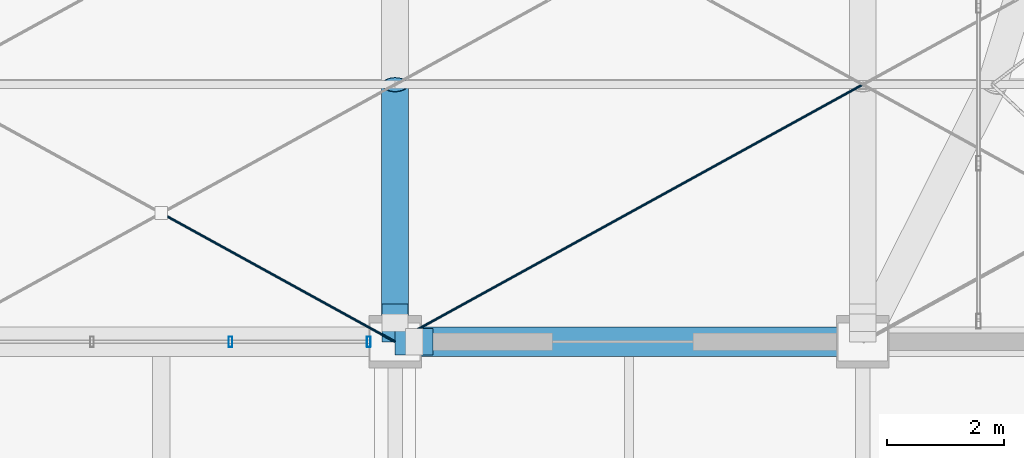
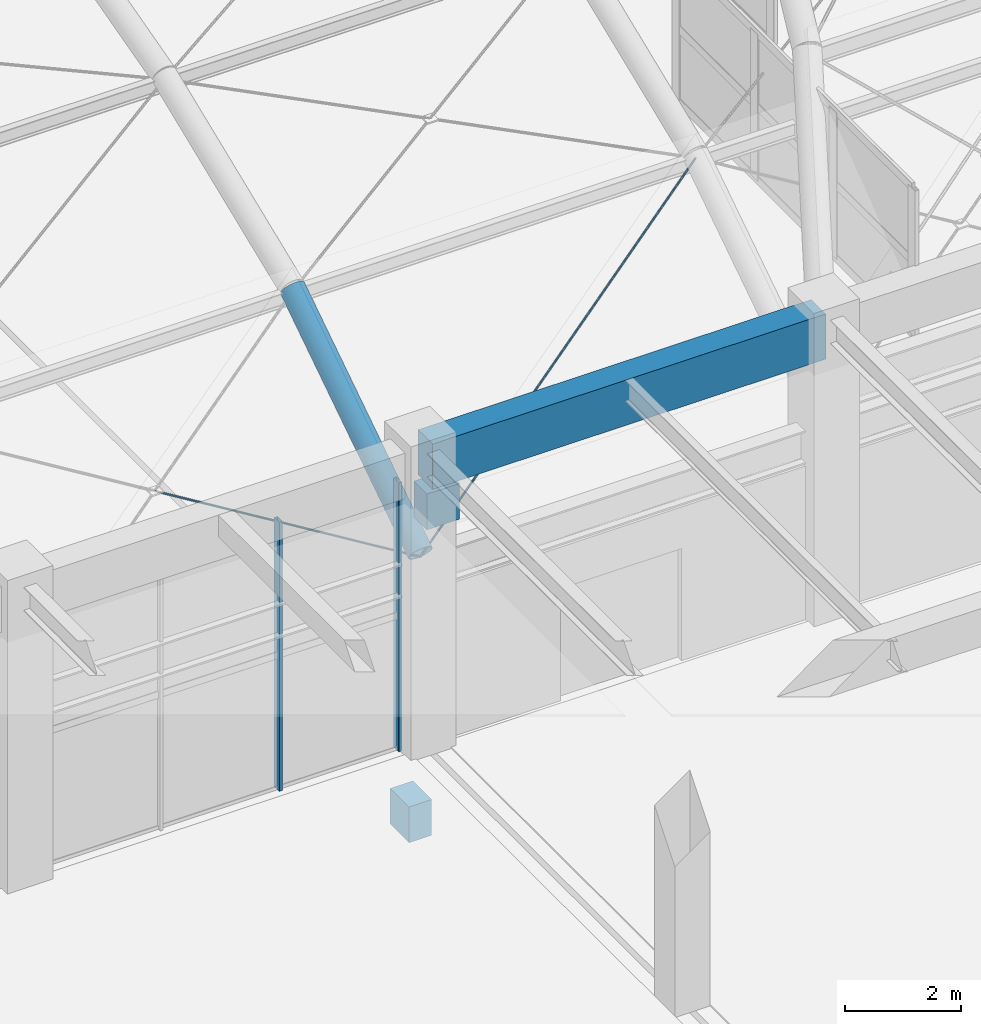
# One storey, part 22 of 163: 4 beams, 4 members, 1 element without a shape of its own.
"""IFC4 building model written with IfcOpenShell, lengths in metres."""

from ifc_helpers import new_model, si_unit, direction, frame, origin, origin_2d, place, context, subcontext, project, spatial, rectangle, hollow_rectangle, circle, hollow_circle, extrude, material, material_profile, profile_set, type_object, element, aggregate, save


model = new_model("IFC4")

# Units and contexts
model_context = context("Model", 3, precision=1e-05, world=origin(), true_north=direction((0.0, 1.0)))
body_context = subcontext(model_context, "Body", "Model", "MODEL_VIEW")
ifc_project = project(units=[si_unit("LENGTHUNIT", "METRE"), si_unit("AREAUNIT", "SQUARE_METRE"), si_unit("VOLUMEUNIT", "CUBIC_METRE"), si_unit("PLANEANGLEUNIT", "RADIAN"), si_unit("MASSUNIT", "GRAM", prefix="KILO")], contexts=[model_context])

# Site, building, storey
site_placement = place(None, origin())
site = spatial("IfcSite", under=ifc_project, at=site_placement, CompositionType="ELEMENT")
building_placement = place(site_placement, origin())
building = spatial("IfcBuilding", under=site, at=building_placement, Name="Varnabhumi Central Station", CompositionType="ELEMENT")
storey_placement = place(building_placement, frame((0.0, 0.0, 9.60009765625)))
storey = spatial("IfcBuildingStorey", under=building, at=storey_placement, Name="L02", CompositionType="ELEMENT", Elevation=9.60009765625)

# Beams
ifc_material_1 = material(Name="Structural steel E450", Category="steel")
ifc_material_profile_1 = material_profile(ifc_material_1, hollow_circle(Radius=0.228515625, WallThickness=0.01611328125, at=origin_2d()), Name="Structural steel E450", Category="steel")
ifc_profile_set_1 = profile_set([ifc_material_profile_1], Name="Structural steel E450")
beam_type_1 = type_object("IfcBeamType", Name="BM-ARCH-CHS457", PredefinedType="BEAM", material=ifc_profile_set_1)
beam_1_placement = place(storey_placement, frame((64.0, 36.0, 3.949951171875), z_axis=(0.0, 0.835386835677, 0.549662473503), x_axis=(-1.0, 0.0, 0.0)))
element("IfcBeam", 1, at=beam_1_placement, inside=storey, type_object=beam_type_1, Name="Ticket Hall Vault Arch Rib 4 Seg 1", PredefinedType="BEAM", context=body_context, shape_type="SweptSolid", body=[
    extrude(hollow_circle(Radius=0.228515625, WallThickness=0.01611328125, at=origin_2d()), origin(), (0.0, 0.0, 1.0), 5.266845703125),
])
ifc_material_2 = material(Name="Concrete M40", Category="concrete")
ifc_material_profile_2 = material_profile(ifc_material_2, rectangle(XDim=0.449951171875, YDim=0.75, at=origin_2d()), Name="Concrete M40", Category="concrete")
ifc_profile_set_2 = profile_set([ifc_material_profile_2], Name="Concrete M40")
beam_type_2 = type_object("IfcBeamType", Name="BM-RC-450x750", PredefinedType="BEAM", material=ifc_profile_set_2)
for number, where, z_axis, x_axis, name in (
    (2, (64.0, 36.0, 4.94482421875), (1.0, 0.0, 0.0), (0.0, 1.0, 0.0), "Movement Joint 650mm Corbel Seat L02-E-9"),
    (3, (64.0, 36.0, -1.675048828125), (0.0, 1.0, 0.0), (-1.0, 0.0, 0.0), "Concourse Bridge 650mm Corbel Seat 64-S"),
):
    element("IfcBeam", number, at=place(storey_placement, frame(where, z_axis=z_axis, x_axis=x_axis)), inside=storey, type_object=beam_type_2, Name=name, PredefinedType="BEAM", context=body_context, shape_type="SweptSolid", body=[
        extrude(rectangle(XDim=0.449951171875, YDim=0.75, at=origin_2d()), origin(), (0.0, 0.0, 1.0), 0.64990234375),
    ])
ifc_material_profile_3 = material_profile(ifc_material_2, rectangle(XDim=0.5, YDim=0.949951171875, at=origin_2d()), Name="Concrete M40", Category="concrete")
ifc_profile_set_3 = profile_set([ifc_material_profile_3], Name="Concrete M40")
beam_type_3 = type_object("IfcBeamType", Name="BM-RC-950x500", PredefinedType="BEAM", material=ifc_profile_set_3)
beam_2_placement = place(storey_placement, frame((64.10009765625, 36.0, 5.875), z_axis=(1.0, 0.0, 0.0), x_axis=(0.0, 1.0, 0.0)))
element("IfcBeam", 4, at=beam_2_placement, inside=storey, type_object=beam_type_3, Name="Beam L02-E:9-10", PredefinedType="BEAM", context=body_context, shape_type="SweptSolid", body=[
    extrude(rectangle(XDim=0.5, YDim=0.949951171875, at=origin_2d()), origin(), (0.0, 0.0, 1.0), 7.7998046875),
])

# Curtain wall, members
ifc_material_3 = material(Name="Anodised aluminium 6063-T6", Category="aluminium")
curtain_wall_type = type_object("IfcCurtainWallType", Name="CW-SPINE-SCREEN-L2", PredefinedType="NOTDEFINED", material=ifc_material_3)
curtain_wall_placement = place(storey_placement, origin())
curtain_wall = element("IfcCurtainWall", 5, at=curtain_wall_placement, inside=storey, type_object=curtain_wall_type, Name="Curtain Wall CW-SS203", PredefinedType="NOTDEFINED")
ifc_material_profile_4 = material_profile(ifc_material_3, hollow_rectangle(XDim=0.06494140625, YDim=0.179931640625, WallThickness=0.00390625, InnerFilletRadius=0.001953125, OuterFilletRadius=0.006103515625, at=origin_2d()), Name="Anodised aluminium 6063-T6", Category="aluminium")
ifc_profile_set_4 = profile_set([ifc_material_profile_4], Name="Anodised aluminium 6063-T6")
member_type_1 = type_object("IfcMemberType", Name="CW-MUL-180", PredefinedType="MULLION", material=ifc_profile_set_4)
member_1_placement = place(storey_placement, frame((61.183349609375, 36.0, 0.0), z_axis=(0.0, 0.0, 1.0), x_axis=(1.0, 0.0, 0.0)))
member_1 = element("IfcMember", 6, at=member_1_placement, type_object=member_type_1, Name="Curtain Wall Mullion CW-SS203-M3", PredefinedType="MULLION", context=body_context, shape_type="SweptSolid", body=[
    extrude(hollow_rectangle(XDim=0.06494140625, YDim=0.179931640625, WallThickness=0.00390625, InnerFilletRadius=0.001953125, OuterFilletRadius=0.006103515625, at=origin_2d()), origin(), (0.0, 0.0, 1.0), 5.639892578125),
])
member_2_placement = place(storey_placement, frame((63.550048828125, 36.0, 0.0), z_axis=(0.0, 0.0, 1.0), x_axis=(1.0, 0.0, 0.0)))
member_2 = element("IfcMember", 7, at=member_2_placement, type_object=member_type_1, Name="Curtain Wall Mullion CW-SS203-M4", PredefinedType="MULLION", context=body_context, shape_type="SweptSolid", body=[
    extrude(hollow_rectangle(XDim=0.06494140625, YDim=0.179931640625, WallThickness=0.00390625, InnerFilletRadius=0.001953125, OuterFilletRadius=0.006103515625, at=origin_2d()), origin(), (0.0, 0.0, 1.0), 5.639892578125),
])
aggregate(curtain_wall, [member_1, member_2])

# Members
ifc_material_4 = material(Name="Spiral-strand steel S1570", Category="steel")
ifc_material_profile_5 = material_profile(ifc_material_4, circle(Radius=0.02099609375, at=origin_2d()), Name="Spiral-strand steel S1570", Category="steel")
ifc_profile_set_5 = profile_set([ifc_material_profile_5], Name="Spiral-strand steel S1570")
member_type_2 = type_object("IfcMemberType", Name="MBR-CABLE-D42", PredefinedType="USERDEFINED", material=ifc_profile_set_5)
member_3_placement = place(storey_placement, frame((60.0, 38.199951171875, 5.3173828125), z_axis=(0.8352374511, -0.459370402335, -0.302253591771), x_axis=(0.481910537812, 0.876220425204, 0.0)))
element("IfcMember", 8, at=member_3_placement, inside=storey, type_object=member_type_2, Name="Ticket Hall Vault Cable-Net Split Tie B3-P1B2", ObjectType="TENSION CABLE", PredefinedType="USERDEFINED", context=body_context, shape_type="SweptSolid", body=[
    extrude(circle(Radius=0.02099609375, at=origin_2d()), origin(), (0.0, 0.0, 1.0), 4.7890625),
])
member_4_placement = place(storey_placement, frame((64.0, 36.0, 3.869873046875), z_axis=(0.8352374511, 0.459370402335, 0.302253591771), x_axis=(-0.481910537812, 0.876220425204, 0.0)))
element("IfcMember", 9, at=member_4_placement, inside=storey, type_object=member_type_2, Name="Ticket Hall Vault Cable-Net Tie B4-P1A", ObjectType="TENSION CABLE", PredefinedType="USERDEFINED", context=body_context, shape_type="SweptSolid", body=[
    extrude(circle(Radius=0.02099609375, at=origin_2d()), origin(), (0.0, 0.0, 1.0), 9.578125),
])

save(model, "model.ifc")
